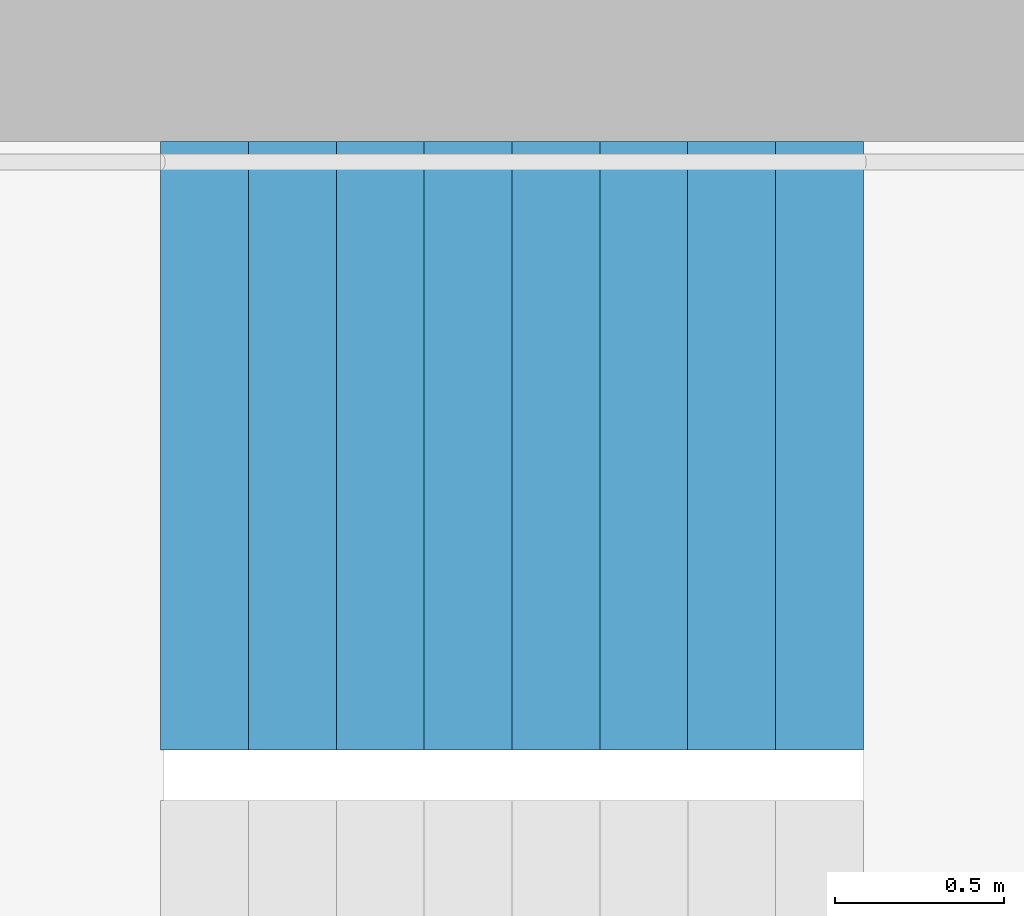
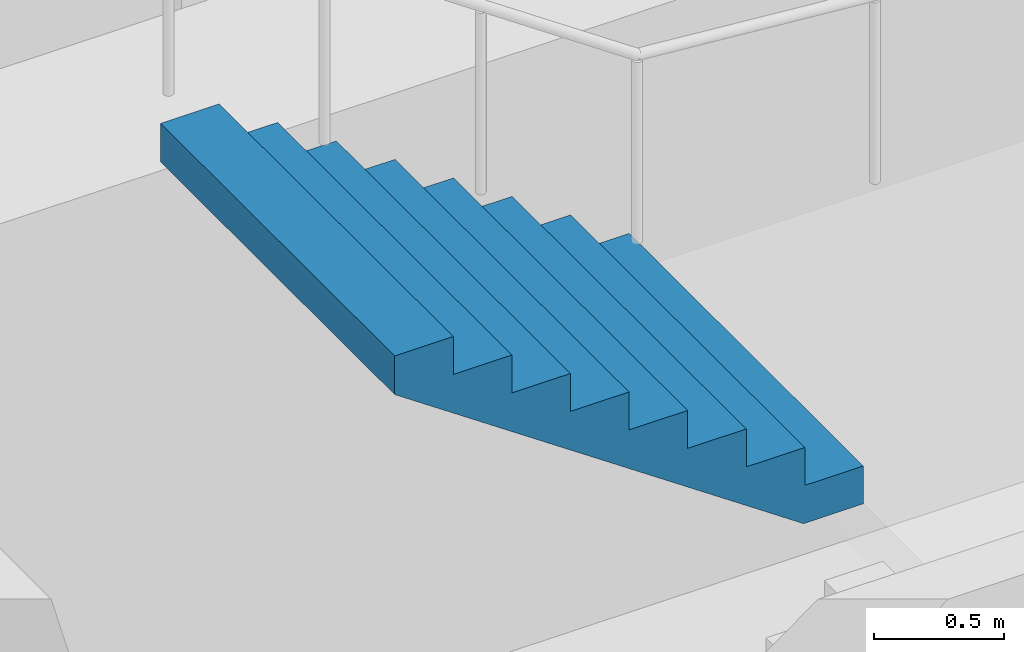
# One storey, part 24 of 29: 1 stair flight, 1 element without a shape of its own.
"""IFC4 building model written with IfcOpenShell, lengths in metres."""

from ifc_helpers import new_model, si_unit, direction, frame, origin, place, context, subcontext, project, spatial, triangles, material, type_object, element, aggregate, save


model = new_model("IFC4")

# Units and contexts
model_context = context("Model", 3, precision=1e-05, world=origin(), true_north=direction((0.0, 1.0)))
body_context = subcontext(model_context, "Body", "Model", "MODEL_VIEW")
ifc_project = project(units=[si_unit("LENGTHUNIT", "METRE"), si_unit("AREAUNIT", "SQUARE_METRE"), si_unit("VOLUMEUNIT", "CUBIC_METRE"), si_unit("PLANEANGLEUNIT", "RADIAN"), si_unit("MASSUNIT", "GRAM", prefix="KILO")], contexts=[model_context])

# Site, building, storey
site_placement = place(None, origin())
site = spatial("IfcSite", under=ifc_project, at=site_placement, CompositionType="ELEMENT")
building_placement = place(site_placement, origin())
building = spatial("IfcBuilding", under=site, at=building_placement, Name="Hakoniwa Tower and Hamabe Station Hall", CompositionType="ELEMENT")
storey_placement = place(building_placement, frame((0.0, 0.0, 91.39990234375)))
storey = spatial("IfcBuildingStorey", under=building, at=storey_placement, Name="L25", CompositionType="ELEMENT", Elevation=91.39990234375)

# Stair, stair flight
ifc_material_1 = material(Name="Concrete C40", Category="concrete")
stair_type = type_object("IfcStairType", Name="ESCAPE STAIR 1800", PredefinedType="HALF_TURN_STAIR", material=ifc_material_1)
stair_placement = place(storey_placement, origin())
stair = element("IfcStair", 1, at=stair_placement, inside=storey, type_object=stair_type, Name="Escape stair ST-1 L25", PredefinedType="HALF_TURN_STAIR")
ifc_material_2 = material(Name="Concrete C40", Category="concrete")
stair_flight_type = type_object("IfcStairFlightType", Name="STAIR FLIGHT 1800", PredefinedType="STRAIGHT", material=ifc_material_2)
stair_flight_placement = place(storey_placement, frame((-22.320068359375, 6.60009765625, 1.60009765625), z_axis=(0.0, 0.0, 1.0), x_axis=(-1.0, 0.0, 0.0)))
stair_flight = element("IfcStairFlight", 2, at=stair_flight_placement, type_object=stair_flight_type, Name="ST-1 flight 2", NumberOfRisers=9, NumberOfTreads=8, PredefinedType="STRAIGHT", RiserHeight=0.177777778, TreadLength=0.26, context=body_context, shape_type="Tessellation", body=[
    triangles([(0.0, 0.89990234375, 0.0), (0.260009765625, 0.89990234375, 0.0), (0.265625, 0.89990234375, 0.0), (0.52001953125, 0.89990234375, 0.174072265625), (0.780029296875, 0.89990234375, 0.351806640625), (1.0400390625, 0.89990234375, 0.529541015625), (1.300048828125, 0.89990234375, 0.707275390625), (1.56005859375, 0.89990234375, 0.885009765625), (1.820068359375, 0.89990234375, 1.062744140625), (2.080078125, 0.89990234375, 1.24072265625), (2.080078125, 0.89990234375, 1.422119140625), (1.820068359375, 0.89990234375, 1.422119140625), (1.820068359375, 0.89990234375, 1.244384765625), (1.56005859375, 0.89990234375, 1.244384765625), (1.56005859375, 0.89990234375, 1.066650390625), (1.300048828125, 0.89990234375, 1.066650390625), (1.300048828125, 0.89990234375, 0.888916015625), (1.0400390625, 0.89990234375, 0.888916015625), (1.0400390625, 0.89990234375, 0.711181640625), (0.780029296875, 0.89990234375, 0.711181640625), (0.780029296875, 0.89990234375, 0.533447265625), (0.52001953125, 0.89990234375, 0.533447265625), (0.52001953125, 0.89990234375, 0.35546875), (0.265625, 0.89990234375, 0.35546875), (0.260009765625, 0.89990234375, 0.35546875), (0.260009765625, 0.89990234375, 0.177734375), (0.0, 0.89990234375, 0.177734375), (0.0, 0.06005859375, 0.0), (0.260009765625, 0.06005859375, 0.0), (0.265625, 0.06005859375, 0.0), (0.52001953125, 0.06005859375, 0.174072265625), (0.780029296875, 0.06005859375, 0.351806640625), (1.0400390625, 0.06005859375, 0.529541015625), (1.300048828125, 0.06005859375, 0.707275390625), (1.56005859375, 0.06005859375, 0.885009765625), (1.820068359375, 0.06005859375, 1.062744140625), (2.080078125, 0.06005859375, 1.24072265625), (2.080078125, 0.06005859375, 1.422119140625), (1.820068359375, 0.06005859375, 1.422119140625), (1.820068359375, 0.06005859375, 1.244384765625), (1.56005859375, 0.06005859375, 1.244384765625), (1.56005859375, 0.06005859375, 1.066650390625), (1.300048828125, 0.06005859375, 1.066650390625), (1.300048828125, 0.06005859375, 0.888916015625), (1.0400390625, 0.06005859375, 0.888916015625), (1.0400390625, 0.06005859375, 0.711181640625), (0.780029296875, 0.06005859375, 0.711181640625), (0.780029296875, 0.06005859375, 0.533447265625), (0.52001953125, 0.06005859375, 0.533447265625), (0.52001953125, 0.06005859375, 0.35546875), (0.265625, 0.06005859375, 0.35546875), (0.260009765625, 0.06005859375, 0.35546875), (0.260009765625, 0.06005859375, 0.177734375), (0.0, 0.06005859375, 0.177734375), (0.0, 0.04296875, 0.0), (0.260009765625, 0.04296875, 0.0), (0.265625, 0.04296875, 0.0), (0.52001953125, 0.04296875, 0.174072265625), (0.780029296875, 0.04296875, 0.351806640625), (1.0400390625, 0.04296875, 0.529541015625), (1.300048828125, 0.04296875, 0.707275390625), (1.56005859375, 0.04296875, 0.885009765625), (1.820068359375, 0.04296875, 1.062744140625), (2.080078125, 0.04296875, 1.24072265625), (2.080078125, 0.04296875, 1.422119140625), (1.820068359375, 0.04296875, 1.422119140625), (1.820068359375, 0.04296875, 1.244384765625), (1.56005859375, 0.04296875, 1.244384765625), (1.56005859375, 0.04296875, 1.066650390625), (1.300048828125, 0.04296875, 1.066650390625), (1.300048828125, 0.04296875, 0.888916015625), (1.0400390625, 0.04296875, 0.888916015625), (1.0400390625, 0.04296875, 0.711181640625), (0.780029296875, 0.04296875, 0.711181640625), (0.780029296875, 0.04296875, 0.533447265625), (0.52001953125, 0.04296875, 0.533447265625), (0.52001953125, 0.04296875, 0.35546875), (0.265625, 0.04296875, 0.35546875), (0.260009765625, 0.04296875, 0.35546875), (0.260009765625, 0.04296875, 0.177734375), (0.0, 0.04296875, 0.177734375), (0.0, 0.025634765625, 0.0), (0.260009765625, 0.025634765625, 0.0), (0.265625, 0.025634765625, 0.0), (0.52001953125, 0.025634765625, 0.174072265625), (0.780029296875, 0.025634765625, 0.351806640625), (1.0400390625, 0.025634765625, 0.529541015625), (1.300048828125, 0.025634765625, 0.707275390625), (1.56005859375, 0.025634765625, 0.885009765625), (1.820068359375, 0.025634765625, 1.062744140625), (2.080078125, 0.025634765625, 1.24072265625), (2.080078125, 0.025634765625, 1.422119140625), (1.820068359375, 0.025634765625, 1.422119140625), (1.820068359375, 0.025634765625, 1.244384765625), (1.56005859375, 0.025634765625, 1.244384765625), (1.56005859375, 0.025634765625, 1.066650390625), (1.300048828125, 0.025634765625, 1.066650390625), (1.300048828125, 0.025634765625, 0.888916015625), (1.0400390625, 0.025634765625, 0.888916015625), (1.0400390625, 0.025634765625, 0.711181640625), (0.780029296875, 0.025634765625, 0.711181640625), (0.780029296875, 0.025634765625, 0.533447265625), (0.52001953125, 0.025634765625, 0.533447265625), (0.52001953125, 0.025634765625, 0.35546875), (0.265625, 0.025634765625, 0.35546875), (0.260009765625, 0.025634765625, 0.35546875), (0.260009765625, 0.025634765625, 0.177734375), (0.0, 0.025634765625, 0.177734375), (0.0, 0.008544921875, 0.0), (0.260009765625, 0.008544921875, 0.0), (0.265625, 0.008544921875, 0.0), (0.52001953125, 0.008544921875, 0.174072265625), (0.780029296875, 0.008544921875, 0.351806640625), (1.0400390625, 0.008544921875, 0.529541015625), (1.300048828125, 0.008544921875, 0.707275390625), (1.56005859375, 0.008544921875, 0.885009765625), (1.820068359375, 0.008544921875, 1.062744140625), (2.080078125, 0.008544921875, 1.24072265625), (2.080078125, 0.008544921875, 1.422119140625), (1.820068359375, 0.008544921875, 1.422119140625), (1.820068359375, 0.008544921875, 1.244384765625), (1.56005859375, 0.008544921875, 1.244384765625), (1.56005859375, 0.008544921875, 1.066650390625), (1.300048828125, 0.008544921875, 1.066650390625), (1.300048828125, 0.008544921875, 0.888916015625), (1.0400390625, 0.008544921875, 0.888916015625), (1.0400390625, 0.008544921875, 0.711181640625), (0.780029296875, 0.008544921875, 0.711181640625), (0.780029296875, 0.008544921875, 0.533447265625), (0.52001953125, 0.008544921875, 0.533447265625), (0.52001953125, 0.008544921875, 0.35546875), (0.265625, 0.008544921875, 0.35546875), (0.260009765625, 0.008544921875, 0.35546875), (0.260009765625, 0.008544921875, 0.177734375), (0.0, 0.008544921875, 0.177734375), (0.0, -0.008544921875, 0.0), (0.260009765625, -0.008544921875, 0.0), (0.265625, -0.008544921875, 0.0), (0.52001953125, -0.008544921875, 0.174072265625), (0.780029296875, -0.008544921875, 0.351806640625), (1.0400390625, -0.008544921875, 0.529541015625), (1.300048828125, -0.008544921875, 0.707275390625), (1.56005859375, -0.008544921875, 0.885009765625), (1.820068359375, -0.008544921875, 1.062744140625), (2.080078125, -0.008544921875, 1.24072265625), (2.080078125, -0.008544921875, 1.422119140625), (1.820068359375, -0.008544921875, 1.422119140625), (1.820068359375, -0.008544921875, 1.244384765625), (1.56005859375, -0.008544921875, 1.244384765625), (1.56005859375, -0.008544921875, 1.066650390625), (1.300048828125, -0.008544921875, 1.066650390625), (1.300048828125, -0.008544921875, 0.888916015625), (1.0400390625, -0.008544921875, 0.888916015625), (1.0400390625, -0.008544921875, 0.711181640625), (0.780029296875, -0.008544921875, 0.711181640625), (0.780029296875, -0.008544921875, 0.533447265625), (0.52001953125, -0.008544921875, 0.533447265625), (0.52001953125, -0.008544921875, 0.35546875), (0.265625, -0.008544921875, 0.35546875), (0.260009765625, -0.008544921875, 0.35546875), (0.260009765625, -0.008544921875, 0.177734375), (0.0, -0.008544921875, 0.177734375), (0.0, -0.025634765625, 0.0), (0.260009765625, -0.025634765625, 0.0), (0.265625, -0.025634765625, 0.0), (0.52001953125, -0.025634765625, 0.174072265625), (0.780029296875, -0.025634765625, 0.351806640625), (1.0400390625, -0.025634765625, 0.529541015625), (1.300048828125, -0.025634765625, 0.707275390625), (1.56005859375, -0.025634765625, 0.885009765625), (1.820068359375, -0.025634765625, 1.062744140625), (2.080078125, -0.025634765625, 1.24072265625), (2.080078125, -0.025634765625, 1.422119140625), (1.820068359375, -0.025634765625, 1.422119140625), (1.820068359375, -0.025634765625, 1.244384765625), (1.56005859375, -0.025634765625, 1.244384765625), (1.56005859375, -0.025634765625, 1.066650390625), (1.300048828125, -0.025634765625, 1.066650390625), (1.300048828125, -0.025634765625, 0.888916015625), (1.0400390625, -0.025634765625, 0.888916015625), (1.0400390625, -0.025634765625, 0.711181640625), (0.780029296875, -0.025634765625, 0.711181640625), (0.780029296875, -0.025634765625, 0.533447265625), (0.52001953125, -0.025634765625, 0.533447265625), (0.52001953125, -0.025634765625, 0.35546875), (0.265625, -0.025634765625, 0.35546875), (0.260009765625, -0.025634765625, 0.35546875), (0.260009765625, -0.025634765625, 0.177734375), (0.0, -0.025634765625, 0.177734375), (0.0, -0.04296875, 0.0), (0.260009765625, -0.04296875, 0.0), (0.265625, -0.04296875, 0.0), (0.52001953125, -0.04296875, 0.174072265625), (0.780029296875, -0.04296875, 0.351806640625), (1.0400390625, -0.04296875, 0.529541015625), (1.300048828125, -0.04296875, 0.707275390625), (1.56005859375, -0.04296875, 0.885009765625), (1.820068359375, -0.04296875, 1.062744140625), (2.080078125, -0.04296875, 1.24072265625), (2.080078125, -0.04296875, 1.422119140625), (1.820068359375, -0.04296875, 1.422119140625), (1.820068359375, -0.04296875, 1.244384765625), (1.56005859375, -0.04296875, 1.244384765625), (1.56005859375, -0.04296875, 1.066650390625), (1.300048828125, -0.04296875, 1.066650390625), (1.300048828125, -0.04296875, 0.888916015625), (1.0400390625, -0.04296875, 0.888916015625), (1.0400390625, -0.04296875, 0.711181640625), (0.780029296875, -0.04296875, 0.711181640625), (0.780029296875, -0.04296875, 0.533447265625), (0.52001953125, -0.04296875, 0.533447265625), (0.52001953125, -0.04296875, 0.35546875), (0.265625, -0.04296875, 0.35546875), (0.260009765625, -0.04296875, 0.35546875), (0.260009765625, -0.04296875, 0.177734375), (0.0, -0.04296875, 0.177734375), (0.0, -0.06005859375, 0.0), (0.260009765625, -0.06005859375, 0.0), (0.265625, -0.06005859375, 0.0), (0.52001953125, -0.06005859375, 0.174072265625), (0.780029296875, -0.06005859375, 0.351806640625), (1.0400390625, -0.06005859375, 0.529541015625), (1.300048828125, -0.06005859375, 0.707275390625), (1.56005859375, -0.06005859375, 0.885009765625), (1.820068359375, -0.06005859375, 1.062744140625), (2.080078125, -0.06005859375, 1.24072265625), (2.080078125, -0.06005859375, 1.422119140625), (1.820068359375, -0.06005859375, 1.422119140625), (1.820068359375, -0.06005859375, 1.244384765625), (1.56005859375, -0.06005859375, 1.244384765625), (1.56005859375, -0.06005859375, 1.066650390625), (1.300048828125, -0.06005859375, 1.066650390625), (1.300048828125, -0.06005859375, 0.888916015625), (1.0400390625, -0.06005859375, 0.888916015625), (1.0400390625, -0.06005859375, 0.711181640625), (0.780029296875, -0.06005859375, 0.711181640625), (0.780029296875, -0.06005859375, 0.533447265625), (0.52001953125, -0.06005859375, 0.533447265625), (0.52001953125, -0.06005859375, 0.35546875), (0.265625, -0.06005859375, 0.35546875), (0.260009765625, -0.06005859375, 0.35546875), (0.260009765625, -0.06005859375, 0.177734375), (0.0, -0.06005859375, 0.177734375), (0.0, -0.89990234375, 0.0), (0.260009765625, -0.89990234375, 0.0), (0.265625, -0.89990234375, 0.0), (0.52001953125, -0.89990234375, 0.174072265625), (0.780029296875, -0.89990234375, 0.351806640625), (1.0400390625, -0.89990234375, 0.529541015625), (1.300048828125, -0.89990234375, 0.707275390625), (1.56005859375, -0.89990234375, 0.885009765625), (1.820068359375, -0.89990234375, 1.062744140625), (2.080078125, -0.89990234375, 1.24072265625), (2.080078125, -0.89990234375, 1.422119140625), (1.820068359375, -0.89990234375, 1.422119140625), (1.820068359375, -0.89990234375, 1.244384765625), (1.56005859375, -0.89990234375, 1.244384765625), (1.56005859375, -0.89990234375, 1.066650390625), (1.300048828125, -0.89990234375, 1.066650390625), (1.300048828125, -0.89990234375, 0.888916015625), (1.0400390625, -0.89990234375, 0.888916015625), (1.0400390625, -0.89990234375, 0.711181640625), (0.780029296875, -0.89990234375, 0.711181640625), (0.780029296875, -0.89990234375, 0.533447265625), (0.52001953125, -0.89990234375, 0.533447265625), (0.52001953125, -0.89990234375, 0.35546875), (0.265625, -0.89990234375, 0.35546875), (0.260009765625, -0.89990234375, 0.35546875), (0.260009765625, -0.89990234375, 0.177734375), (0.0, -0.89990234375, 0.177734375)], [[2, 27, 26], [245, 269, 270], [2, 1, 27], [245, 270, 244], [3, 25, 24], [246, 267, 268], [3, 26, 25], [246, 268, 269], [3, 2, 26], [246, 269, 245], [4, 24, 23], [247, 266, 267], [4, 3, 24], [247, 267, 246], [5, 22, 21], [248, 264, 265], [5, 23, 22], [248, 265, 266], [5, 4, 23], [248, 266, 247], [6, 20, 19], [249, 262, 263], [6, 21, 20], [249, 263, 264], [6, 5, 21], [249, 264, 248], [7, 18, 17], [250, 260, 261], [7, 19, 18], [250, 261, 262], [7, 6, 19], [250, 262, 249], [8, 16, 15], [251, 258, 259], [8, 17, 16], [251, 259, 260], [8, 7, 17], [251, 260, 250], [9, 14, 13], [252, 256, 257], [9, 15, 14], [252, 257, 258], [9, 8, 15], [252, 258, 251], [10, 12, 11], [253, 254, 255], [10, 13, 12], [253, 255, 256], [10, 9, 13], [253, 256, 252], [1, 2, 29], [1, 29, 28], [28, 29, 56], [28, 56, 55], [55, 56, 83], [55, 83, 82], [82, 83, 110], [82, 110, 109], [109, 110, 137], [109, 137, 136], [136, 137, 164], [136, 164, 163], [163, 164, 191], [163, 191, 190], [190, 191, 218], [190, 218, 217], [217, 218, 245], [217, 245, 244], [2, 3, 30], [2, 30, 29], [29, 30, 57], [29, 57, 56], [56, 57, 84], [56, 84, 83], [83, 84, 111], [83, 111, 110], [110, 111, 138], [110, 138, 137], [137, 138, 165], [137, 165, 164], [164, 165, 192], [164, 192, 191], [191, 192, 219], [191, 219, 218], [218, 219, 246], [218, 246, 245], [3, 4, 31], [3, 31, 30], [30, 31, 58], [30, 58, 57], [57, 58, 85], [57, 85, 84], [84, 85, 112], [84, 112, 111], [111, 112, 139], [111, 139, 138], [138, 139, 166], [138, 166, 165], [165, 166, 193], [165, 193, 192], [192, 193, 220], [192, 220, 219], [219, 220, 247], [219, 247, 246], [4, 5, 32], [4, 32, 31], [31, 32, 59], [31, 59, 58], [58, 59, 86], [58, 86, 85], [85, 86, 113], [85, 113, 112], [112, 113, 140], [112, 140, 139], [139, 140, 167], [139, 167, 166], [166, 167, 194], [166, 194, 193], [193, 194, 221], [193, 221, 220], [220, 221, 248], [220, 248, 247], [5, 6, 33], [5, 33, 32], [32, 33, 60], [32, 60, 59], [59, 60, 87], [59, 87, 86], [86, 87, 114], [86, 114, 113], [113, 114, 141], [113, 141, 140], [140, 141, 168], [140, 168, 167], [167, 168, 195], [167, 195, 194], [194, 195, 222], [194, 222, 221], [221, 222, 249], [221, 249, 248], [6, 7, 34], [6, 34, 33], [33, 34, 61], [33, 61, 60], [60, 61, 88], [60, 88, 87], [87, 88, 115], [87, 115, 114], [114, 115, 142], [114, 142, 141], [141, 142, 169], [141, 169, 168], [168, 169, 196], [168, 196, 195], [195, 196, 223], [195, 223, 222], [222, 223, 250], [222, 250, 249], [7, 8, 35], [7, 35, 34], [34, 35, 62], [34, 62, 61], [61, 62, 89], [61, 89, 88], [88, 89, 116], [88, 116, 115], [115, 116, 143], [115, 143, 142], [142, 143, 170], [142, 170, 169], [169, 170, 197], [169, 197, 196], [196, 197, 224], [196, 224, 223], [223, 224, 251], [223, 251, 250], [8, 9, 36], [8, 36, 35], [35, 36, 63], [35, 63, 62], [62, 63, 90], [62, 90, 89], [89, 90, 117], [89, 117, 116], [116, 117, 144], [116, 144, 143], [143, 144, 171], [143, 171, 170], [170, 171, 198], [170, 198, 197], [197, 198, 225], [197, 225, 224], [224, 225, 252], [224, 252, 251], [9, 10, 37], [9, 37, 36], [36, 37, 64], [36, 64, 63], [63, 64, 91], [63, 91, 90], [90, 91, 118], [90, 118, 117], [117, 118, 145], [117, 145, 144], [144, 145, 172], [144, 172, 171], [171, 172, 199], [171, 199, 198], [198, 199, 226], [198, 226, 225], [225, 226, 253], [225, 253, 252], [10, 11, 38], [10, 38, 37], [37, 38, 65], [37, 65, 64], [64, 65, 92], [64, 92, 91], [91, 92, 119], [91, 119, 118], [118, 119, 146], [118, 146, 145], [145, 146, 173], [145, 173, 172], [172, 173, 200], [172, 200, 199], [199, 200, 227], [199, 227, 226], [226, 227, 254], [226, 254, 253], [11, 12, 39], [11, 39, 38], [38, 39, 66], [38, 66, 65], [65, 66, 93], [65, 93, 92], [92, 93, 120], [92, 120, 119], [119, 120, 147], [119, 147, 146], [146, 147, 174], [146, 174, 173], [173, 174, 201], [173, 201, 200], [200, 201, 228], [200, 228, 227], [227, 228, 255], [227, 255, 254], [12, 13, 40], [12, 40, 39], [39, 40, 67], [39, 67, 66], [66, 67, 94], [66, 94, 93], [93, 94, 121], [93, 121, 120], [120, 121, 148], [120, 148, 147], [147, 148, 175], [147, 175, 174], [174, 175, 202], [174, 202, 201], [201, 202, 229], [201, 229, 228], [228, 229, 256], [228, 256, 255], [13, 14, 41], [13, 41, 40], [40, 41, 68], [40, 68, 67], [67, 68, 95], [67, 95, 94], [94, 95, 122], [94, 122, 121], [121, 122, 149], [121, 149, 148], [148, 149, 176], [148, 176, 175], [175, 176, 203], [175, 203, 202], [202, 203, 230], [202, 230, 229], [229, 230, 257], [229, 257, 256], [14, 15, 42], [14, 42, 41], [41, 42, 69], [41, 69, 68], [68, 69, 96], [68, 96, 95], [95, 96, 123], [95, 123, 122], [122, 123, 150], [122, 150, 149], [149, 150, 177], [149, 177, 176], [176, 177, 204], [176, 204, 203], [203, 204, 231], [203, 231, 230], [230, 231, 258], [230, 258, 257], [15, 16, 43], [15, 43, 42], [42, 43, 70], [42, 70, 69], [69, 70, 97], [69, 97, 96], [96, 97, 124], [96, 124, 123], [123, 124, 151], [123, 151, 150], [150, 151, 178], [150, 178, 177], [177, 178, 205], [177, 205, 204], [204, 205, 232], [204, 232, 231], [231, 232, 259], [231, 259, 258], [16, 17, 44], [16, 44, 43], [43, 44, 71], [43, 71, 70], [70, 71, 98], [70, 98, 97], [97, 98, 125], [97, 125, 124], [124, 125, 152], [124, 152, 151], [151, 152, 179], [151, 179, 178], [178, 179, 206], [178, 206, 205], [205, 206, 233], [205, 233, 232], [232, 233, 260], [232, 260, 259], [17, 18, 45], [17, 45, 44], [44, 45, 72], [44, 72, 71], [71, 72, 99], [71, 99, 98], [98, 99, 126], [98, 126, 125], [125, 126, 153], [125, 153, 152], [152, 153, 180], [152, 180, 179], [179, 180, 207], [179, 207, 206], [206, 207, 234], [206, 234, 233], [233, 234, 261], [233, 261, 260], [18, 19, 46], [18, 46, 45], [45, 46, 73], [45, 73, 72], [72, 73, 100], [72, 100, 99], [99, 100, 127], [99, 127, 126], [126, 127, 154], [126, 154, 153], [153, 154, 181], [153, 181, 180], [180, 181, 208], [180, 208, 207], [207, 208, 235], [207, 235, 234], [234, 235, 262], [234, 262, 261], [19, 20, 47], [19, 47, 46], [46, 47, 74], [46, 74, 73], [73, 74, 101], [73, 101, 100], [100, 101, 128], [100, 128, 127], [127, 128, 155], [127, 155, 154], [154, 155, 182], [154, 182, 181], [181, 182, 209], [181, 209, 208], [208, 209, 236], [208, 236, 235], [235, 236, 263], [235, 263, 262], [20, 21, 48], [20, 48, 47], [47, 48, 75], [47, 75, 74], [74, 75, 102], [74, 102, 101], [101, 102, 129], [101, 129, 128], [128, 129, 156], [128, 156, 155], [155, 156, 183], [155, 183, 182], [182, 183, 210], [182, 210, 209], [209, 210, 237], [209, 237, 236], [236, 237, 264], [236, 264, 263], [21, 22, 49], [21, 49, 48], [48, 49, 76], [48, 76, 75], [75, 76, 103], [75, 103, 102], [102, 103, 130], [102, 130, 129], [129, 130, 157], [129, 157, 156], [156, 157, 184], [156, 184, 183], [183, 184, 211], [183, 211, 210], [210, 211, 238], [210, 238, 237], [237, 238, 265], [237, 265, 264], [22, 23, 50], [22, 50, 49], [49, 50, 77], [49, 77, 76], [76, 77, 104], [76, 104, 103], [103, 104, 131], [103, 131, 130], [130, 131, 158], [130, 158, 157], [157, 158, 185], [157, 185, 184], [184, 185, 212], [184, 212, 211], [211, 212, 239], [211, 239, 238], [238, 239, 266], [238, 266, 265], [23, 24, 51], [23, 51, 50], [50, 51, 78], [50, 78, 77], [77, 78, 105], [77, 105, 104], [104, 105, 132], [104, 132, 131], [131, 132, 159], [131, 159, 158], [158, 159, 186], [158, 186, 185], [185, 186, 213], [185, 213, 212], [212, 213, 240], [212, 240, 239], [239, 240, 267], [239, 267, 266], [24, 25, 52], [24, 52, 51], [51, 52, 79], [51, 79, 78], [78, 79, 106], [78, 106, 105], [105, 106, 133], [105, 133, 132], [132, 133, 160], [132, 160, 159], [159, 160, 187], [159, 187, 186], [186, 187, 214], [186, 214, 213], [213, 214, 241], [213, 241, 240], [240, 241, 268], [240, 268, 267], [25, 26, 53], [25, 53, 52], [52, 53, 80], [52, 80, 79], [79, 80, 107], [79, 107, 106], [106, 107, 134], [106, 134, 133], [133, 134, 161], [133, 161, 160], [160, 161, 188], [160, 188, 187], [187, 188, 215], [187, 215, 214], [214, 215, 242], [214, 242, 241], [241, 242, 269], [241, 269, 268], [26, 27, 54], [26, 54, 53], [53, 54, 81], [53, 81, 80], [80, 81, 108], [80, 108, 107], [107, 108, 135], [107, 135, 134], [134, 135, 162], [134, 162, 161], [161, 162, 189], [161, 189, 188], [188, 189, 216], [188, 216, 215], [215, 216, 243], [215, 243, 242], [242, 243, 270], [242, 270, 269], [27, 1, 28], [27, 28, 54], [54, 28, 55], [54, 55, 81], [81, 55, 82], [81, 82, 108], [108, 82, 109], [108, 109, 135], [135, 109, 136], [135, 136, 162], [162, 136, 163], [162, 163, 189], [189, 163, 190], [189, 190, 216], [216, 190, 217], [216, 217, 243], [243, 217, 244], [243, 244, 270]], closed=True),
])
aggregate(stair, [stair_flight])

save(model, "model.ifc")
